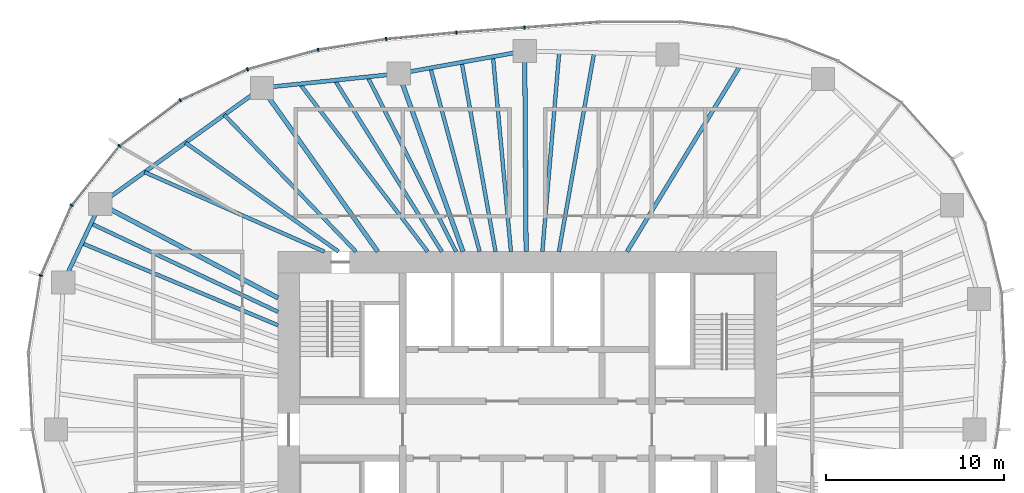
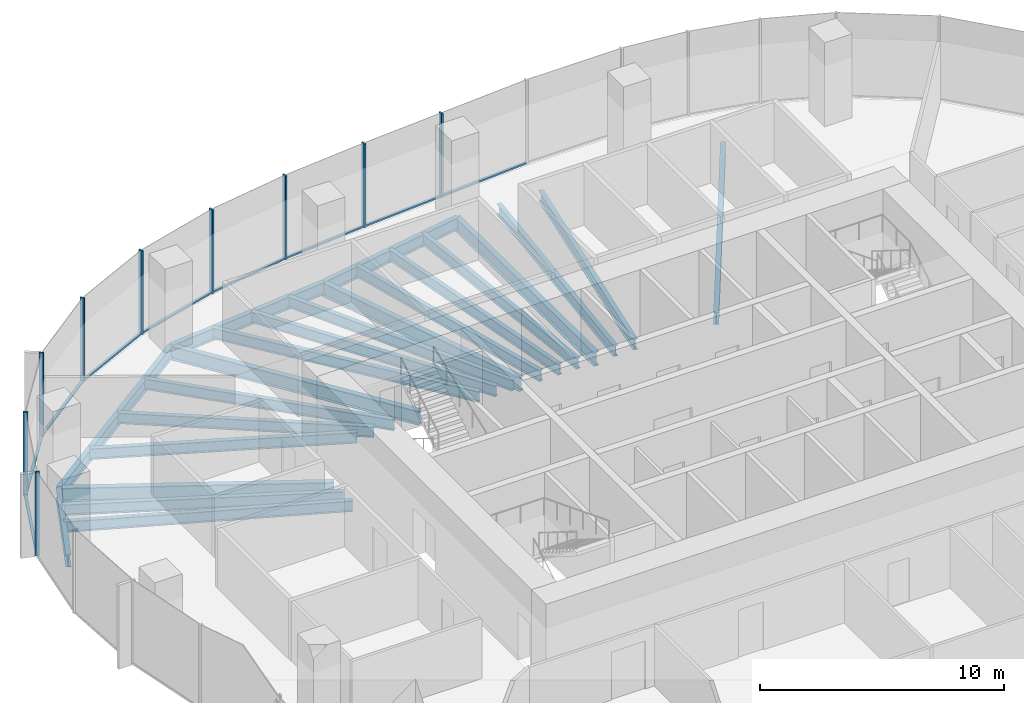
# One storey, part 5 of 11: 22 beams, 18 members, 6 elements without a shape of their own.
"""IFC4 building model written with IfcOpenShell, lengths in metres."""

from ifc_helpers import new_model, si_unit, direction, frame, origin, origin_2d, place, context, subcontext, project, spatial, rectangle, i_section, extrude, material, material_profile, profile_set, type_object, element, aggregate, save


model = new_model("IFC4")

# Units and contexts
model_context = context("Model", 3, precision=1e-05, world=origin(), true_north=direction((0.0, 1.0)))
body_context = subcontext(model_context, "Body", "Model", "MODEL_VIEW")
ifc_project = project(units=[si_unit("LENGTHUNIT", "METRE"), si_unit("AREAUNIT", "SQUARE_METRE"), si_unit("VOLUMEUNIT", "CUBIC_METRE"), si_unit("PLANEANGLEUNIT", "RADIAN"), si_unit("MASSUNIT", "GRAM", prefix="KILO")], contexts=[model_context])

# Site, building, storey
site_placement = place(None, origin())
site = spatial("IfcSite", under=ifc_project, at=site_placement, CompositionType="ELEMENT")
building_placement = place(site_placement, origin())
building = spatial("IfcBuilding", under=site, at=building_placement, Name="Ghaith Harvest Tower", CompositionType="ELEMENT")
storey_placement = place(building_placement, frame((0.0, 0.0, 215.800048828125)))
storey = spatial("IfcBuildingStorey", under=building, at=storey_placement, Name="L47", CompositionType="ELEMENT", Elevation=215.800048828125)

# Curtain wall, members
ifc_material_1 = material(Name="Black anodised aluminium and fritted glass", Category="aluminium")
curtain_wall_type = type_object("IfcCurtainWallType", Name="CW-H CURTAIN WALL", PredefinedType="NOTDEFINED", material=ifc_material_1)
curtain_wall_1_placement = place(storey_placement, origin())
curtain_wall_1 = element("IfcCurtainWall", 1, at=curtain_wall_1_placement, inside=storey, type_object=curtain_wall_type, Name="Curtain wall CW-H bay 06 L47", PredefinedType="NOTDEFINED")
ifc_material_2 = material(Name="Aluminium, black anodised", Category="aluminium")
ifc_material_profile_1 = material_profile(ifc_material_2, rectangle(XDim=0.080078125, YDim=0.199951171875, at=origin_2d()), Name="CW-H MULLION 80x200")
ifc_profile_set_1 = profile_set([ifc_material_profile_1], Name="Aluminium, black anodised")
member_type_1 = type_object("IfcMemberType", Name="CW-H MULLION 80x200", PredefinedType="MULLION", material=ifc_profile_set_1)
member_1_placement = place(storey_placement, frame((-0.154541015625, 22.590576171875, 0.0), z_axis=(0.0, 0.0, 1.0), x_axis=(-0.997329249665, -0.073036756239, 0.0)))
member_1 = element("IfcMember", 2, at=member_1_placement, type_object=member_type_1, Name="CW-H mullion 1 bay 06 L47", PredefinedType="MULLION", context=body_context, shape_type="SweptSolid", body=[
    extrude(rectangle(XDim=0.080078125, YDim=0.199951171875, at=origin_2d()), origin(), (0.0, 0.0, 1.0), 4.199951171875),
])
member_2_placement = place(storey_placement, frame((-3.984375, 22.310302734375, 0.0), z_axis=(0.0, 0.0, 1.0), x_axis=(-0.996522526822, -0.083323787336, 0.0)))
member_2 = element("IfcMember", 3, at=member_2_placement, type_object=member_type_1, Name="CW-H mullion 2 bay 06 L47", PredefinedType="MULLION", context=body_context, shape_type="SweptSolid", body=[
    extrude(rectangle(XDim=0.080078125, YDim=0.199951171875, at=origin_2d()), origin(), (0.0, 0.0, 1.0), 4.199951171875),
])

curtain_wall_2_placement = place(storey_placement, origin())
curtain_wall_2 = element("IfcCurtainWall", 4, at=curtain_wall_2_placement, inside=storey, type_object=curtain_wall_type, Name="Curtain wall CW-H bay 07 L47", PredefinedType="NOTDEFINED")
member_3_placement = place(storey_placement, frame((-7.924560546875, 21.94091796875, 0.0), z_axis=(0.0, 0.0, 1.0), x_axis=(-0.992235485325, -0.124373396119, 0.0)))
member_3 = element("IfcMember", 5, at=member_3_placement, type_object=member_type_1, Name="CW-H mullion 1 bay 07 L47", PredefinedType="MULLION", context=body_context, shape_type="SweptSolid", body=[
    extrude(rectangle(XDim=0.080078125, YDim=0.199951171875, at=origin_2d()), origin(), (0.0, 0.0, 1.0), 4.199951171875),
])
member_4_placement = place(storey_placement, frame((-11.75244140625, 21.336669921875, 0.0), z_axis=(0.0, 0.0, 1.0), x_axis=(-0.977086484172, -0.212842670646, 0.0)))
member_4 = element("IfcMember", 6, at=member_4_placement, type_object=member_type_1, Name="CW-H mullion 2 bay 07 L47", PredefinedType="MULLION", context=body_context, shape_type="SweptSolid", body=[
    extrude(rectangle(XDim=0.080078125, YDim=0.199951171875, at=origin_2d()), origin(), (0.0, 0.0, 1.0), 4.199951171875),
])

curtain_wall_3_placement = place(storey_placement, origin())
curtain_wall_3 = element("IfcCurtainWall", 7, at=curtain_wall_3_placement, inside=storey, type_object=curtain_wall_type, Name="Curtain wall CW-H bay 08 L47", PredefinedType="NOTDEFINED")
member_5_placement = place(storey_placement, frame((-15.720947265625, 20.242431640625, 0.0), z_axis=(0.0, 0.0, 1.0), x_axis=(-0.938930986476, -0.344105510906, 0.0)))
member_5 = element("IfcMember", 8, at=member_5_placement, type_object=member_type_1, Name="CW-H mullion 1 bay 08 L47", PredefinedType="MULLION", context=body_context, shape_type="SweptSolid", body=[
    extrude(rectangle(XDim=0.080078125, YDim=0.199951171875, at=origin_2d()), origin(), (0.0, 0.0, 1.0), 4.199951171875),
])
member_6_placement = place(storey_placement, frame((-19.4951171875, 18.4990234375, 0.0), z_axis=(0.0, 0.0, 1.0), x_axis=(-0.857998754004, -0.513651767376, 0.0)))
member_6 = element("IfcMember", 9, at=member_6_placement, type_object=member_type_1, Name="CW-H mullion 2 bay 08 L47", PredefinedType="MULLION", context=body_context, shape_type="SweptSolid", body=[
    extrude(rectangle(XDim=0.080078125, YDim=0.199951171875, at=origin_2d()), origin(), (0.0, 0.0, 1.0), 4.199951171875),
])

curtain_wall_4_placement = place(storey_placement, origin())
curtain_wall_4 = element("IfcCurtainWall", 10, at=curtain_wall_4_placement, inside=storey, type_object=curtain_wall_type, Name="Curtain wall CW-H bay 09 L47", PredefinedType="NOTDEFINED")
member_7_placement = place(storey_placement, frame((-22.908203125, 15.939697265625, 0.0), z_axis=(0.0, 0.0, 1.0), x_axis=(-0.719146135082, -0.694858860774, 0.0)))
member_7 = element("IfcMember", 11, at=member_7_placement, type_object=member_type_1, Name="CW-H mullion 1 bay 09 L47", PredefinedType="MULLION", context=body_context, shape_type="SweptSolid", body=[
    extrude(rectangle(XDim=0.080078125, YDim=0.199951171875, at=origin_2d()), origin(), (0.0, 0.0, 1.0), 4.199951171875),
])
member_8_placement = place(storey_placement, frame((-25.599609375, 12.6005859375, 0.0), z_axis=(0.0, 0.0, 1.0), x_axis=(-0.518769201232, -0.854914332464, 0.0)))
member_8 = element("IfcMember", 12, at=member_8_placement, type_object=member_type_1, Name="CW-H mullion 2 bay 09 L47", PredefinedType="MULLION", context=body_context, shape_type="SweptSolid", body=[
    extrude(rectangle(XDim=0.080078125, YDim=0.199951171875, at=origin_2d()), origin(), (0.0, 0.0, 1.0), 4.199951171875),
])

# Curtain wall, member
curtain_wall_5_placement = place(storey_placement, origin())
curtain_wall_5 = element("IfcCurtainWall", 13, at=curtain_wall_5_placement, inside=storey, type_object=curtain_wall_type, Name="Curtain wall CW-H bay 10 L47", PredefinedType="NOTDEFINED")
member_9_placement = place(storey_placement, frame((-27.32568359375, 8.659912109375, 0.0), z_axis=(0.0, 0.0, 1.0), x_axis=(-0.280520268431, -0.959848102045, 0.0)))
member_9 = element("IfcMember", 14, at=member_9_placement, type_object=member_type_1, Name="CW-H mullion 1 bay 10 L47", PredefinedType="MULLION", context=body_context, shape_type="SweptSolid", body=[
    extrude(rectangle(XDim=0.080078125, YDim=0.199951171875, at=origin_2d()), origin(), (0.0, 0.0, 1.0), 4.199951171875),
])
aggregate(curtain_wall_5, [member_9])

curtain_wall_6_placement = place(storey_placement, origin())
curtain_wall_6 = element("IfcCurtainWall", 15, at=curtain_wall_6_placement, inside=storey, type_object=curtain_wall_type, Name="Curtain wall CW-H bay 05 L47", PredefinedType="NOTDEFINED")
ifc_material_3 = material(Name="Aluminium, black anodised", Category="aluminium")
ifc_material_profile_2 = material_profile(ifc_material_3, rectangle(XDim=0.1298828125, YDim=0.080078125, at=origin_2d()), Name="CW-H TRANSOM 130x80")
ifc_profile_set_2 = profile_set([ifc_material_profile_2], Name="Aluminium, black anodised")
member_type_2 = type_object("IfcMemberType", Name="CW-H TRANSOM 130x80", PredefinedType="USERDEFINED", material=ifc_profile_set_2)
member_10_placement = place(storey_placement, frame((4.01953125, 22.896484375, 0.0400390625), z_axis=(-0.997325457985, -0.07308851384, 0.0), x_axis=(0.07308851384, -0.997325457985, 0.0)))
member_10 = element("IfcMember", 16, at=member_10_placement, type_object=member_type_2, Name="CW-H transom 2 bay 05 L47", ObjectType="TRANSOM", PredefinedType="USERDEFINED", context=body_context, shape_type="SweptSolid", body=[
    extrude(rectangle(XDim=0.1298828125, YDim=0.080078125, at=origin_2d()), origin(), (0.0, 0.0, 1.0), 4.145263671875),
])
aggregate(curtain_wall_6, [member_10])

# Member
member_11_placement = place(storey_placement, frame((-0.194580078125, 22.587646484375, 0.0400390625), z_axis=(-0.997332916649, -0.072986665689, 0.0), x_axis=(0.072986665689, -0.997332916649, 0.0)))
member_11 = element("IfcMember", 17, at=member_11_placement, type_object=member_type_2, Name="CW-H transom 1 bay 06 L47", ObjectType="TRANSOM", PredefinedType="USERDEFINED", context=body_context, shape_type="SweptSolid", body=[
    extrude(rectangle(XDim=0.1298828125, YDim=0.080078125, at=origin_2d()), origin(), (0.0, 0.0, 1.0), 3.759765625),
])

member_12_placement = place(storey_placement, frame((-4.024169921875, 22.306640625, 0.0400390625), z_axis=(-0.995631116984, -0.093373866217, 0.0), x_axis=(0.093373866217, -0.995631116984, 0.0)))
member_12 = element("IfcMember", 18, at=member_12_placement, type_object=member_type_2, Name="CW-H transom 2 bay 06 L47", ObjectType="TRANSOM", PredefinedType="USERDEFINED", context=body_context, shape_type="SweptSolid", body=[
    extrude(rectangle(XDim=0.1298828125, YDim=0.080078125, at=origin_2d()), origin(), (0.0, 0.0, 1.0), 3.87744140625),
])

aggregate(curtain_wall_1, [member_1, member_11, member_2, member_12])

member_13_placement = place(storey_placement, frame((-7.964111328125, 21.9345703125, 0.0400390625), z_axis=(-0.98776765914, -0.155932843097, 0.0), x_axis=(0.155932843097, -0.98776765914, 0.0)))
member_13 = element("IfcMember", 19, at=member_13_placement, type_object=member_type_2, Name="CW-H transom 1 bay 07 L47", ObjectType="TRANSOM", PredefinedType="USERDEFINED", context=body_context, shape_type="SweptSolid", body=[
    extrude(rectangle(XDim=0.1298828125, YDim=0.080078125, at=origin_2d()), origin(), (0.0, 0.0, 1.0), 3.795166015625),
])

member_14_placement = place(storey_placement, frame((-11.791015625, 21.325927734375, 0.0400390625), z_axis=(-0.964038584245, -0.265762315024, 0.0), x_axis=(0.265762315024, -0.964038584245, 0.0)))
member_14 = element("IfcMember", 20, at=member_14_placement, type_object=member_type_2, Name="CW-H transom 2 bay 07 L47", ObjectType="TRANSOM", PredefinedType="USERDEFINED", context=body_context, shape_type="SweptSolid", body=[
    extrude(rectangle(XDim=0.1298828125, YDim=0.080078125, at=origin_2d()), origin(), (0.0, 0.0, 1.0), 4.03662109375),
])

aggregate(curtain_wall_2, [member_3, member_13, member_4, member_14])

member_15_placement = place(storey_placement, frame((-15.75732421875, 20.2255859375, 0.0400390625), z_axis=(-0.907831404762, -0.419335355686, 0.0), x_axis=(0.419335355686, -0.907831404762, 0.0)))
member_15 = element("IfcMember", 21, at=member_15_placement, type_object=member_type_2, Name="CW-H transom 1 bay 08 L47", ObjectType="TRANSOM", PredefinedType="USERDEFINED", context=body_context, shape_type="SweptSolid", body=[
    extrude(rectangle(XDim=0.1298828125, YDim=0.080078125, at=origin_2d()), origin(), (0.0, 0.0, 1.0), 4.0771484375),
])

member_16_placement = place(storey_placement, frame((-19.527099609375, 18.47509765625, 0.0400390625), z_axis=(-0.800041988873, -0.599944010755, 0.0), x_axis=(0.599944010755, -0.800041988873, 0.0)))
member_16 = element("IfcMember", 22, at=member_16_placement, type_object=member_type_2, Name="CW-H transom 2 bay 08 L47", ObjectType="TRANSOM", PredefinedType="USERDEFINED", context=body_context, shape_type="SweptSolid", body=[
    extrude(rectangle(XDim=0.1298828125, YDim=0.080078125, at=origin_2d()), origin(), (0.0, 0.0, 1.0), 4.186279296875),
])

aggregate(curtain_wall_3, [member_5, member_15, member_6, member_16])

member_17_placement = place(storey_placement, frame((-22.933349609375, 15.90869140625, 0.0400390625), z_axis=(-0.6275347306, -0.778588570357, 0.0), x_axis=(0.778588570357, -0.6275347306, 0.0)))
member_17 = element("IfcMember", 23, at=member_17_placement, type_object=member_type_2, Name="CW-H transom 1 bay 09 L47", ObjectType="TRANSOM", PredefinedType="USERDEFINED", context=body_context, shape_type="SweptSolid", body=[
    extrude(rectangle(XDim=0.1298828125, YDim=0.080078125, at=origin_2d()), origin(), (0.0, 0.0, 1.0), 4.208740234375),
])

member_18_placement = place(storey_placement, frame((-25.61572265625, 12.56396484375, 0.0400390625), z_axis=(-0.401185844746, -0.915996680112, 0.0), x_axis=(0.915996680112, -0.401185844746, 0.0)))
member_18 = element("IfcMember", 24, at=member_18_placement, type_object=member_type_2, Name="CW-H transom 2 bay 09 L47", ObjectType="TRANSOM", PredefinedType="USERDEFINED", context=body_context, shape_type="SweptSolid", body=[
    extrude(rectangle(XDim=0.1298828125, YDim=0.080078125, at=origin_2d()), origin(), (0.0, 0.0, 1.0), 4.22216796875),
])

aggregate(curtain_wall_4, [member_7, member_17, member_8, member_18])

# Beams
ifc_material_4 = material(Name="Steel ASTM A992 Grade 50", Category="steel")
ifc_material_profile_3 = material_profile(ifc_material_4, i_section(OverallWidth=0.22900390625, OverallDepth=0.612060546875, WebThickness=0.011962890625, FlangeThickness=0.01953125, at=origin_2d()), Name="W610X125")
ifc_profile_set_3 = profile_set([ifc_material_profile_3], Name="Steel ASTM A992 Grade 50")
beam_type_1 = type_object("IfcBeamType", Name="E610-125 W610X125", PredefinedType="SPANDREL", material=ifc_profile_set_3)
beam_1_placement = place(storey_placement, frame((-0.14599609375, 21.27099609375, -0.47607421875), z_axis=(-0.984177047684, -0.177187863051, 0.0), x_axis=(0.177187863051, -0.984177047684, 0.0)))
element("IfcBeam", 25, at=beam_1_placement, inside=storey, type_object=beam_type_1, Name="Edge beam E06 L47", PredefinedType="SPANDREL", context=body_context, shape_type="SweptSolid", body=[
    extrude(i_section(OverallWidth=0.22900390625, OverallDepth=0.612060546875, WebThickness=0.011962890625, FlangeThickness=0.01953125, at=origin_2d()), origin(), (0.0, 0.0, 1.0), 7.189697265625),
])
beam_2_placement = place(storey_placement, frame((-7.221923828125, 19.9970703125, -0.47607421875), z_axis=(-0.994669141618, -0.103117887451, 0.0), x_axis=(0.103117887451, -0.994669141618, 0.0)))
element("IfcBeam", 26, at=beam_2_placement, inside=storey, type_object=beam_type_1, Name="Edge beam E07 L47", PredefinedType="SPANDREL", context=body_context, shape_type="SweptSolid", body=[
    extrude(i_section(OverallWidth=0.22900390625, OverallDepth=0.612060546875, WebThickness=0.011962890625, FlangeThickness=0.01953125, at=origin_2d()), origin(), (0.0, 0.0, 1.0), 7.730224609375),
])
beam_3_placement = place(storey_placement, frame((-14.910888671875, 19.199951171875, -0.47607421875), z_axis=(-0.812050311838, -0.583587432219, 0.0), x_axis=(0.583587432219, -0.812050311838, 0.0)))
element("IfcBeam", 27, at=beam_3_placement, inside=storey, type_object=beam_type_1, Name="Edge beam E08 L47", PredefinedType="SPANDREL", context=body_context, shape_type="SweptSolid", body=[
    extrude(i_section(OverallWidth=0.22900390625, OverallDepth=0.612060546875, WebThickness=0.011962890625, FlangeThickness=0.01953125, at=origin_2d()), origin(), (0.0, 0.0, 1.0), 11.175537109375),
])
beam_4_placement = place(storey_placement, frame((-23.986083984375, 12.677978515625, -0.47607421875), z_axis=(-0.426170247297, -0.904642979478, 0.0), x_axis=(0.904642979478, -0.426170247297, 0.0)))
element("IfcBeam", 28, at=beam_4_placement, inside=storey, type_object=beam_type_1, Name="Edge beam E09 L47", PredefinedType="SPANDREL", context=body_context, shape_type="SweptSolid", body=[
    extrude(i_section(OverallWidth=0.22900390625, OverallDepth=0.612060546875, WebThickness=0.011962890625, FlangeThickness=0.01953125, at=origin_2d()), origin(), (0.0, 0.0, 1.0), 4.882568359375),
])
ifc_material_5 = material(Name="Steel ASTM A992 Grade 50", Category="steel")
ifc_material_profile_4 = material_profile(ifc_material_5, i_section(OverallWidth=0.256103515625, OverallDepth=0.693115234375, WebThickness=0.014404296875, FlangeThickness=0.023681640625, at=origin_2d()), Name="W690X170")
ifc_profile_set_4 = profile_set([ifc_material_profile_4], Name="Steel ASTM A992 Grade 50")
beam_type_2 = type_object("IfcBeamType", Name="G690-170 W690X170", PredefinedType="BEAM", material=ifc_profile_set_4)
beam_5_placement = place(storey_placement, frame((-0.068359375, 10.0, -0.5166015625), z_axis=(-0.006888022705, 0.99997627729, 0.0), x_axis=(-0.99997627729, -0.006888022705, 0.0)))
element("IfcBeam", 29, at=beam_5_placement, inside=storey, type_object=beam_type_2, Name="Radial girder G06 L47", PredefinedType="BEAM", context=body_context, shape_type="SweptSolid", body=[
    extrude(i_section(OverallWidth=0.256103515625, OverallDepth=0.693115234375, WebThickness=0.014404296875, FlangeThickness=0.023681640625, at=origin_2d()), origin(), (0.0, 0.0, 1.0), 11.271240234375),
])
beam_6_placement = place(storey_placement, frame((-3.61181640625, 10.0, -0.5166015625), z_axis=(-0.339648979266, 0.940552269086, 0.0), x_axis=(-0.940552269086, -0.339648979266, 0.0)))
element("IfcBeam", 30, at=beam_6_placement, inside=storey, type_object=beam_type_2, Name="Radial girder G07 L47", PredefinedType="BEAM", context=body_context, shape_type="SweptSolid", body=[
    extrude(i_section(OverallWidth=0.256103515625, OverallDepth=0.693115234375, WebThickness=0.014404296875, FlangeThickness=0.023681640625, at=origin_2d()), origin(), (0.0, 0.0, 1.0), 10.62890625),
])
beam_7_placement = place(storey_placement, frame((-8.39990234375, 10.0, -0.5166015625), z_axis=(-0.577683734365, 0.816260683268, 0.0), x_axis=(-0.816260683268, -0.577683734365, 0.0)))
element("IfcBeam", 31, at=beam_7_placement, inside=storey, type_object=beam_type_2, Name="Radial girder G08 L47", PredefinedType="BEAM", context=body_context, shape_type="SweptSolid", body=[
    extrude(i_section(OverallWidth=0.256103515625, OverallDepth=0.693115234375, WebThickness=0.014404296875, FlangeThickness=0.023681640625, at=origin_2d()), origin(), (0.0, 0.0, 1.0), 11.270751953125),
])
beam_8_placement = place(storey_placement, frame((-14.0, 7.39990234375, -0.5166015625), z_axis=(-0.884105273337, 0.467287776062, 0.0), x_axis=(-0.467287776062, -0.884105273337, 0.0)))
element("IfcBeam", 32, at=beam_8_placement, inside=storey, type_object=beam_type_2, Name="Radial girder G09 L47", PredefinedType="BEAM", context=body_context, shape_type="SweptSolid", body=[
    extrude(i_section(OverallWidth=0.256103515625, OverallDepth=0.693115234375, WebThickness=0.014404296875, FlangeThickness=0.023681640625, at=origin_2d()), origin(), (0.0, 0.0, 1.0), 11.295166015625),
])
ifc_material_6 = material(Name="Steel ASTM A992 Grade 50", Category="steel")
ifc_material_profile_5 = material_profile(ifc_material_6, i_section(OverallWidth=0.2109375, OverallDepth=0.5390625, WebThickness=0.01171875, FlangeThickness=0.018798828125, at=origin_2d()), Name="W530X109")
ifc_profile_set_5 = profile_set([ifc_material_profile_5], Name="Steel ASTM A992 Grade 50")
beam_type_3 = type_object("IfcBeamType", Name="J530-109 W530X109", PredefinedType="JOIST", material=ifc_profile_set_5)
beam_9_placement = place(storey_placement, frame((1.772705078125, 10.0, -0.439453125), z_axis=(0.17455599258, 0.984647249249, 0.0), x_axis=(-0.984647249249, 0.17455599258, 0.0)))
element("IfcBeam", 33, at=beam_9_placement, inside=storey, type_object=beam_type_3, Name="Joist J05.2 L47", PredefinedType="JOIST", context=body_context, shape_type="SweptSolid", body=[
    extrude(i_section(OverallWidth=0.2109375, OverallDepth=0.5390625, WebThickness=0.01171875, FlangeThickness=0.018798828125, at=origin_2d()), origin(), (0.0, 0.0, 1.0), 11.3486328125),
])
beam_10_placement = place(storey_placement, frame((0.844970703125, 10.0, -0.439453125), z_axis=(0.084213263804, 0.996447753873, 0.0), x_axis=(-0.996447753873, 0.084213263804, 0.0)))
element("IfcBeam", 34, at=beam_10_placement, inside=storey, type_object=beam_type_3, Name="Joist J05.3 L47", PredefinedType="JOIST", context=body_context, shape_type="SweptSolid", body=[
    extrude(i_section(OverallWidth=0.2109375, OverallDepth=0.5390625, WebThickness=0.01171875, FlangeThickness=0.018798828125, at=origin_2d()), origin(), (0.0, 0.0, 1.0), 11.262939453125),
])
beam_11_placement = place(storey_placement, frame((-0.92041015625, 10.0, -0.439453125), z_axis=(-0.091648687045, 0.995791402937, 0.0), x_axis=(-0.995791402937, -0.091648687045, 0.0)))
element("IfcBeam", 35, at=beam_11_placement, inside=storey, type_object=beam_type_3, Name="Joist J06.1 L47", PredefinedType="JOIST", context=body_context, shape_type="SweptSolid", body=[
    extrude(i_section(OverallWidth=0.2109375, OverallDepth=0.5390625, WebThickness=0.01171875, FlangeThickness=0.018798828125, at=origin_2d()), origin(), (0.0, 0.0, 1.0), 10.99658203125),
])
beam_12_placement = place(storey_placement, frame((-1.785888671875, 10.0, -0.439453125), z_axis=(-0.175793767479, 0.984427016754, 0.0), x_axis=(-0.984427016754, -0.175793767479, 0.0)))
element("IfcBeam", 36, at=beam_12_placement, inside=storey, type_object=beam_type_3, Name="Joist J06.2 L47", PredefinedType="JOIST", context=body_context, shape_type="SweptSolid", body=[
    extrude(i_section(OverallWidth=0.2109375, OverallDepth=0.5390625, WebThickness=0.01171875, FlangeThickness=0.018798828125, at=origin_2d()), origin(), (0.0, 0.0, 1.0), 10.802001953125),
])
beam_13_placement = place(storey_placement, frame((-2.677978515625, 10.0, -0.439453125), z_axis=(-0.258674007994, 0.965964677195, 0.0), x_axis=(-0.965964677195, -0.258674007994, 0.0)))
element("IfcBeam", 37, at=beam_13_placement, inside=storey, type_object=beam_type_3, Name="Joist J06.3 L47", PredefinedType="JOIST", context=body_context, shape_type="SweptSolid", body=[
    extrude(i_section(OverallWidth=0.2109375, OverallDepth=0.5390625, WebThickness=0.01171875, FlangeThickness=0.018798828125, at=origin_2d()), origin(), (0.0, 0.0, 1.0), 10.68115234375),
])
beam_14_placement = place(storey_placement, frame((-4.0, 10.0, -0.439453125), z_axis=(-0.451646219201, 0.892197115374, 0.0), x_axis=(-0.892197115374, -0.451646219201, 0.0)))
element("IfcBeam", 38, at=beam_14_placement, inside=storey, type_object=beam_type_3, Name="Joist J07.1 L47", PredefinedType="JOIST", context=body_context, shape_type="SweptSolid", body=[
    extrude(i_section(OverallWidth=0.2109375, OverallDepth=0.5390625, WebThickness=0.01171875, FlangeThickness=0.018798828125, at=origin_2d()), origin(), (0.0, 0.0, 1.0), 11.001953125),
])
beam_15_placement = place(storey_placement, frame((-4.800048828125, 10.0, -0.439453125), z_axis=(-0.529627564093, 0.848230300893, 0.0), x_axis=(-0.848230300893, -0.529627564093, 0.0)))
element("IfcBeam", 39, at=beam_15_placement, inside=storey, type_object=beam_type_3, Name="Joist J07.2 L47", PredefinedType="JOIST", context=body_context, shape_type="SweptSolid", body=[
    extrude(i_section(OverallWidth=0.2109375, OverallDepth=0.5390625, WebThickness=0.01171875, FlangeThickness=0.018798828125, at=origin_2d()), origin(), (0.0, 0.0, 1.0), 11.34716796875),
])
beam_16_placement = place(storey_placement, frame((-5.60009765625, 10.0, -0.439453125), z_axis=(-0.605976135502, 0.795482823952, 0.0), x_axis=(-0.795482823952, -0.605976135502, 0.0)))
element("IfcBeam", 40, at=beam_16_placement, inside=storey, type_object=beam_type_3, Name="Joist J07.3 L47", PredefinedType="JOIST", context=body_context, shape_type="SweptSolid", body=[
    extrude(i_section(OverallWidth=0.2109375, OverallDepth=0.5390625, WebThickness=0.01171875, FlangeThickness=0.018798828125, at=origin_2d()), origin(), (0.0, 0.0, 1.0), 11.84326171875),
])
beam_17_placement = place(storey_placement, frame((-9.626708984375, 10.0, -0.439453125), z_axis=(-0.69354049188, 0.720417647009, 0.0), x_axis=(-0.720417647009, -0.69354049188, 0.0)))
element("IfcBeam", 41, at=beam_17_placement, inside=storey, type_object=beam_type_3, Name="Joist J08.1 L47", PredefinedType="JOIST", context=body_context, shape_type="SweptSolid", body=[
    extrude(i_section(OverallWidth=0.2109375, OverallDepth=0.5390625, WebThickness=0.01171875, FlangeThickness=0.018798828125, at=origin_2d()), origin(), (0.0, 0.0, 1.0), 10.6640625),
])
beam_18_placement = place(storey_placement, frame((-10.60009765625, 10.0, -0.439453125), z_axis=(-0.814837070547, 0.579690045164, 0.0), x_axis=(-0.579690045164, -0.814837070547, 0.0)))
element("IfcBeam", 42, at=beam_18_placement, inside=storey, type_object=beam_type_3, Name="Joist J08.2 L47", PredefinedType="JOIST", context=body_context, shape_type="SweptSolid", body=[
    extrude(i_section(OverallWidth=0.2109375, OverallDepth=0.5390625, WebThickness=0.01171875, FlangeThickness=0.018798828125, at=origin_2d()), origin(), (0.0, 0.0, 1.0), 10.5537109375),
])
beam_19_placement = place(storey_placement, frame((-11.39990234375, 10.0, -0.439453125), z_axis=(-0.914561290029, 0.40444733499, 0.0), x_axis=(-0.40444733499, -0.914561290029, 0.0)))
element("IfcBeam", 43, at=beam_19_placement, inside=storey, type_object=beam_type_3, Name="Joist J08.3 L47", PredefinedType="JOIST", context=body_context, shape_type="SweptSolid", body=[
    extrude(i_section(OverallWidth=0.2109375, OverallDepth=0.5390625, WebThickness=0.01171875, FlangeThickness=0.018798828125, at=origin_2d()), origin(), (0.0, 0.0, 1.0), 11.041748046875),
])
beam_20_placement = place(storey_placement, frame((-14.0, 6.614990234375, -0.439453125), z_axis=(-0.904154184779, 0.427206285238, 0.0), x_axis=(-0.427206285238, -0.904154184779, 0.0)))
element("IfcBeam", 44, at=beam_20_placement, inside=storey, type_object=beam_type_3, Name="Joist J09.1 L47", PredefinedType="JOIST", context=body_context, shape_type="SweptSolid", body=[
    extrude(i_section(OverallWidth=0.2109375, OverallDepth=0.5390625, WebThickness=0.01171875, FlangeThickness=0.018798828125, at=origin_2d()), origin(), (0.0, 0.0, 1.0), 11.61767578125),
])
beam_21_placement = place(storey_placement, frame((-14.0, 5.862548828125, -0.439453125), z_axis=(-0.922380898158, 0.386281605455, 0.0), x_axis=(-0.386281605455, -0.922380898158, 0.0)))
element("IfcBeam", 45, at=beam_21_placement, inside=storey, type_object=beam_type_3, Name="Joist J09.2 L47", PredefinedType="JOIST", context=body_context, shape_type="SweptSolid", body=[
    extrude(i_section(OverallWidth=0.2109375, OverallDepth=0.5390625, WebThickness=0.01171875, FlangeThickness=0.018798828125, at=origin_2d()), origin(), (0.0, 0.0, 1.0), 11.94970703125),
])
ifc_material_7 = material(Name="Steel ASTM A992 Grade 50", Category="steel")
ifc_material_profile_6 = material_profile(ifc_material_7, i_section(OverallWidth=0.22900390625, OverallDepth=0.612060546875, WebThickness=0.011962890625, FlangeThickness=0.01953125, at=origin_2d()), Name="W610X125")
ifc_profile_set_6 = profile_set([ifc_material_profile_6], Name="Steel ASTM A992 Grade 50")
beam_type_4 = type_object("IfcBeamType", Name="J610-125 W610X125", PredefinedType="JOIST", material=ifc_profile_set_6)
beam_22_placement = place(storey_placement, frame((5.60009765625, 10.0, -0.47607421875), z_axis=(0.519863845761, 0.854249133374, 0.0), x_axis=(-0.854249133374, 0.519863845761, 0.0)))
element("IfcBeam", 46, at=beam_22_placement, inside=storey, type_object=beam_type_4, Name="Joist J04.2 L47", PredefinedType="JOIST", context=body_context, shape_type="SweptSolid", body=[
    extrude(i_section(OverallWidth=0.22900390625, OverallDepth=0.612060546875, WebThickness=0.011962890625, FlangeThickness=0.01953125, at=origin_2d()), origin(), (0.0, 0.0, 1.0), 12.209716796875),
])

save(model, "model.ifc")
